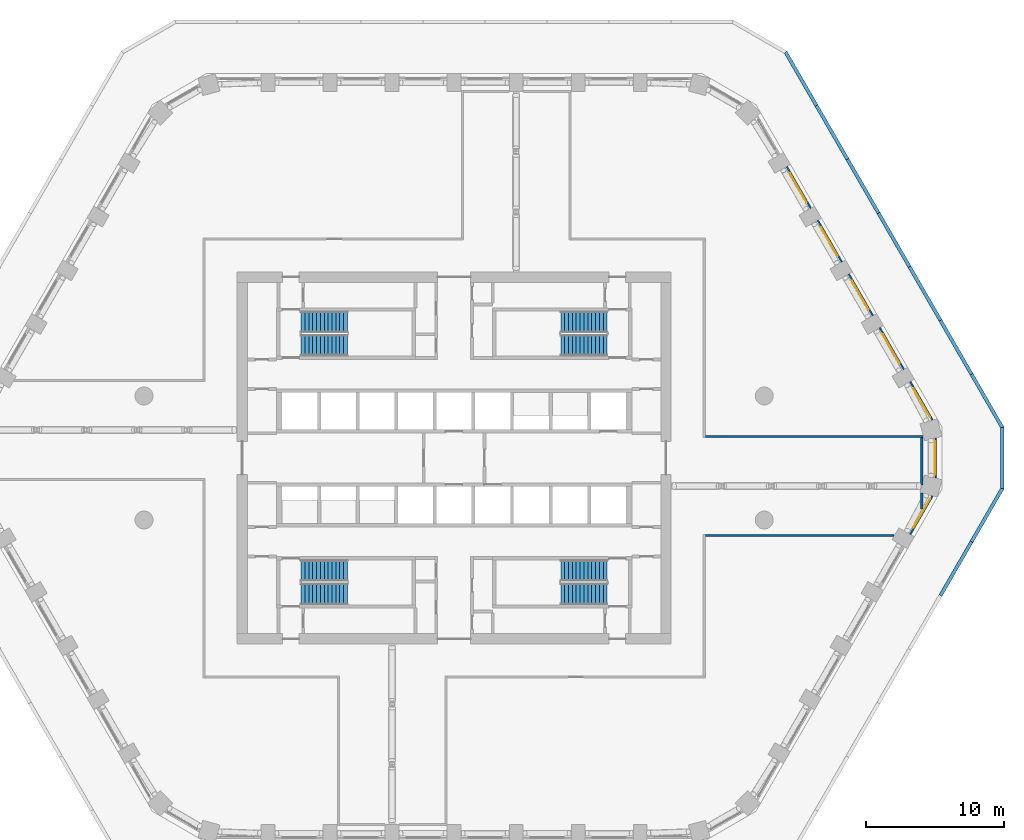
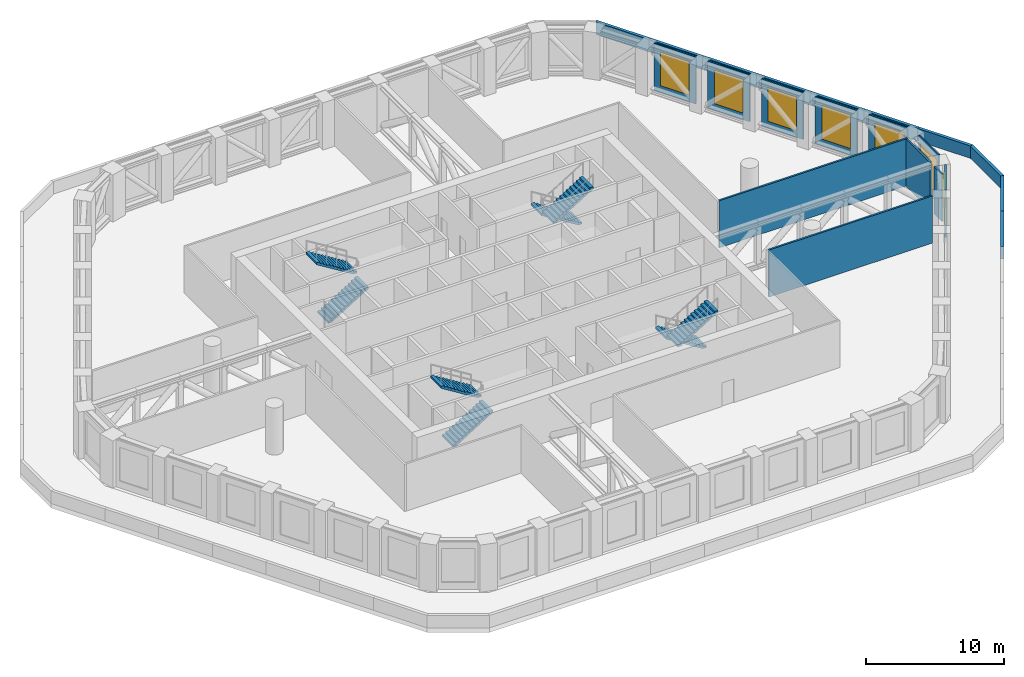
# One storey, part 11 of 18: 21 walls, 8 stair flights, 7 windows, 7 openings, 4 elements without a shape of their own.
"""IFC4 building model written with IfcOpenShell, lengths in metres."""

from ifc_helpers import new_model, si_unit, direction, frame, frame_2d, origin, place, context, subcontext, project, spatial, polyline, rectangle, outline, extrude, material, layer, layer_set, type_object, element, fill, aggregate, save


model = new_model("IFC4")

# Units and contexts
model_context = context("Model", 3, precision=1e-05, world=origin(), true_north=direction((0.0, 1.0)))
body_context = subcontext(model_context, "Body", "Model", "MODEL_VIEW")
ifc_project = project(units=[si_unit("LENGTHUNIT", "METRE"), si_unit("AREAUNIT", "SQUARE_METRE"), si_unit("VOLUMEUNIT", "CUBIC_METRE"), si_unit("PLANEANGLEUNIT", "RADIAN"), si_unit("MASSUNIT", "GRAM", prefix="KILO")], contexts=[model_context])

# Site, building, storey
site_placement = place(None, origin())
site = spatial("IfcSite", under=ifc_project, at=site_placement, CompositionType="ELEMENT")
building_placement = place(site_placement, origin())
building = spatial("IfcBuilding", under=site, at=building_placement, Name="Dhurran Vertical Campus", CompositionType="ELEMENT")
storey_placement = place(building_placement, frame((0.0, 0.0, 128.10009765625)))
storey = spatial("IfcBuildingStorey", under=building, at=storey_placement, Name="L31 Plant", CompositionType="ELEMENT", Elevation=128.10009765625)

# Wall, opening, window
ifc_material_1 = material(Name="Precast concrete C50/60", Category="concrete")
ifc_layer_1 = layer(ifc_material_1, 0.1201171875)
ifc_layer_set_1 = layer_set([ifc_layer_1], Name="Precast concrete C50/60")
wall_type_1 = type_object("IfcWallType", Name="Precast louvre-bay panel 120", PredefinedType="SOLIDWALL", material=ifc_layer_set_1)
wall_1_placement = place(storey_placement, frame((33.099609375, -5.541748046875, 0.0), z_axis=(0.0, 0.0, 1.0), x_axis=(0.499974205047, 0.866040295995, 0.0)))
wall_1 = element("IfcWall", 1, at=wall_1_placement, inside=storey, type_object=wall_type_1, Name="EW4 L31.14", PredefinedType="SOLIDWALL", context=body_context, shape_type="SweptSolid", body=[
    extrude(rectangle(XDim=3.218017578125, YDim=0.1201171875, at=frame_2d((1.60888671875, 0.0))), origin(), (0.0, 0.0, 1.0), 4.1748046875),
])
opening_1_placement = place(wall_1_placement, frame((0.549560546875, 0.0, 0.60009765625)))
opening_1 = element("IfcOpeningElement", 2, at=opening_1_placement, cuts=wall_1, Name="Opening WT4", PredefinedType="OPENING", context=body_context, shape_type="SweptSolid", body=[
    extrude(rectangle(XDim=2.39990234375, YDim=3.0, at=frame_2d((1.199951171875, 1.5))), frame((0.0, 0.070068359375, 0.0), z_axis=(0.0, -1.0, 0.0), x_axis=(1.0, 0.0, 0.0)), (0.0, 0.0, 1.0), 0.14013671875),
])
ifc_material_2 = material(Name="Aluminium louvre", Category="aluminium")
window_type = type_object("IfcWindowType", Name="Louvred plant vent 2400 x 3000", PartitioningType="SINGLE_PANEL", PredefinedType="WINDOW", material=ifc_material_2)
window_1_placement = place(opening_1_placement, origin())
window_1 = element("IfcWindow", 3, at=window_1_placement, inside=storey, type_object=window_type, Name="WT4 L31.14", OverallHeight=3.0, OverallWidth=2.39990234375, PartitioningType="SINGLE_PANEL", PredefinedType="WINDOW", context=body_context, shape_type="SweptSolid", body=[
    extrude(rectangle(XDim=2.39990234375, YDim=3.0, at=frame_2d((1.199951171875, 1.5))), frame((0.0, 0.06005859375, 0.0), z_axis=(0.0, -1.0, 0.0), x_axis=(1.0, 0.0, 0.0)), (0.0, 0.0, 1.0), 0.02001953125),
])
fill(opening_1, window_1)

wall_2_placement = place(storey_placement, frame((34.9462890625, -1.43994140625, 0.0), z_axis=(0.0, 0.0, 1.0), x_axis=(0.0, 1.0, 0.0)))
wall_2 = element("IfcWall", 4, at=wall_2_placement, inside=storey, type_object=wall_type_1, Name="EW4 L31.15", PredefinedType="SOLIDWALL", context=body_context, shape_type="SweptSolid", body=[
    extrude(rectangle(XDim=2.8798828125, YDim=0.1201171875, at=frame_2d((1.43994140625, 0.0))), origin(), (0.0, 0.0, 1.0), 4.1748046875),
])
opening_2_placement = place(wall_2_placement, frame((0.239990234375, 0.0, 0.60009765625)))
opening_2 = element("IfcOpeningElement", 5, at=opening_2_placement, cuts=wall_2, Name="Opening WT4", PredefinedType="OPENING", context=body_context, shape_type="SweptSolid", body=[
    extrude(rectangle(XDim=2.39990234375, YDim=3.0, at=frame_2d((1.199951171875, 1.5))), frame((0.0, 0.070068359375, 0.0), z_axis=(0.0, -1.0, 0.0), x_axis=(1.0, 0.0, 0.0)), (0.0, 0.0, 1.0), 0.14013671875),
])
window_2_placement = place(opening_2_placement, origin())
window_2 = element("IfcWindow", 6, at=window_2_placement, inside=storey, type_object=window_type, Name="WT4 L31.15", OverallHeight=3.0, OverallWidth=2.39990234375, PartitioningType="SINGLE_PANEL", PredefinedType="WINDOW", context=body_context, shape_type="SweptSolid", body=[
    extrude(rectangle(XDim=2.39990234375, YDim=3.0, at=frame_2d((1.199951171875, 1.5))), frame((0.0, 0.06005859375, 0.0), z_axis=(0.0, -1.0, 0.0), x_axis=(1.0, 0.0, 0.0)), (0.0, 0.0, 1.0), 0.02001953125),
])
fill(opening_2, window_2)

wall_3_placement = place(storey_placement, frame((34.70849609375, 2.7548828125, 0.0), z_axis=(0.0, 0.0, 1.0), x_axis=(-0.499974205047, 0.866040295995, 0.0)))
wall_3 = element("IfcWall", 7, at=wall_3_placement, inside=storey, type_object=wall_type_1, Name="EW4 L31.16", PredefinedType="SOLIDWALL", context=body_context, shape_type="SweptSolid", body=[
    extrude(rectangle(XDim=3.218017578125, YDim=0.1201171875, at=frame_2d((1.60888671875, 0.0))), origin(), (0.0, 0.0, 1.0), 4.1748046875),
])
opening_3_placement = place(wall_3_placement, frame((0.2685546875, 0.0, 0.60009765625)))
opening_3 = element("IfcOpeningElement", 8, at=opening_3_placement, cuts=wall_3, Name="Opening WT4", PredefinedType="OPENING", context=body_context, shape_type="SweptSolid", body=[
    extrude(rectangle(XDim=2.39990234375, YDim=3.0, at=frame_2d((1.199951171875, 1.5))), frame((0.0, 0.070068359375, 0.0), z_axis=(0.0, -1.0, 0.0), x_axis=(1.0, 0.0, 0.0)), (0.0, 0.0, 1.0), 0.14013671875),
])
window_3_placement = place(opening_3_placement, origin())
window_3 = element("IfcWindow", 9, at=window_3_placement, inside=storey, type_object=window_type, Name="WT4 L31.16", OverallHeight=3.0, OverallWidth=2.39990234375, PartitioningType="SINGLE_PANEL", PredefinedType="WINDOW", context=body_context, shape_type="SweptSolid", body=[
    extrude(rectangle(XDim=2.39990234375, YDim=3.0, at=frame_2d((1.199951171875, 1.5))), frame((0.0, 0.06005859375, 0.0), z_axis=(0.0, -1.0, 0.0), x_axis=(1.0, 0.0, 0.0)), (0.0, 0.0, 1.0), 0.02001953125),
])
fill(opening_3, window_3)

wall_4_placement = place(storey_placement, frame((32.6328125, 6.42822265625, 0.0), z_axis=(0.0, 0.0, 1.0), x_axis=(-0.499996256241, 0.866027565234, 0.0)))
wall_4 = element("IfcWall", 10, at=wall_4_placement, inside=storey, type_object=wall_type_1, Name="EW4 L31.17", PredefinedType="SOLIDWALL", context=body_context, shape_type="SweptSolid", body=[
    extrude(rectangle(XDim=3.4990234375, YDim=0.1201171875, at=frame_2d((1.74951171875, 0.0))), origin(), (0.0, 0.0, 1.0), 4.1748046875),
])
opening_4_placement = place(wall_4_placement, frame((0.549560546875, 0.0, 0.60009765625)))
opening_4 = element("IfcOpeningElement", 11, at=opening_4_placement, cuts=wall_4, Name="Opening WT4", PredefinedType="OPENING", context=body_context, shape_type="SweptSolid", body=[
    extrude(rectangle(XDim=2.39990234375, YDim=3.0, at=frame_2d((1.199951171875, 1.5))), frame((0.0, 0.070068359375, 0.0), z_axis=(0.0, -1.0, 0.0), x_axis=(1.0, 0.0, 0.0)), (0.0, 0.0, 1.0), 0.14013671875),
])
window_4_placement = place(opening_4_placement, origin())
window_4 = element("IfcWindow", 12, at=window_4_placement, inside=storey, type_object=window_type, Name="WT4 L31.17", OverallHeight=3.0, OverallWidth=2.39990234375, PartitioningType="SINGLE_PANEL", PredefinedType="WINDOW", context=body_context, shape_type="SweptSolid", body=[
    extrude(rectangle(XDim=2.39990234375, YDim=3.0, at=frame_2d((1.199951171875, 1.5))), frame((0.0, 0.06005859375, 0.0), z_axis=(0.0, -1.0, 0.0), x_axis=(1.0, 0.0, 0.0)), (0.0, 0.0, 1.0), 0.02001953125),
])
fill(opening_4, window_4)

wall_5_placement = place(storey_placement, frame((30.3828125, 10.3251953125, 0.0), z_axis=(0.0, 0.0, 1.0), x_axis=(-0.499996256241, 0.866027565234, 0.0)))
wall_5 = element("IfcWall", 13, at=wall_5_placement, inside=storey, type_object=wall_type_1, Name="EW4 L31.18", PredefinedType="SOLIDWALL", context=body_context, shape_type="SweptSolid", body=[
    extrude(rectangle(XDim=3.4990234375, YDim=0.1201171875, at=frame_2d((1.74951171875, 0.0))), origin(), (0.0, 0.0, 1.0), 4.1748046875),
])
opening_5_placement = place(wall_5_placement, frame((0.549560546875, 0.0, 0.60009765625)))
opening_5 = element("IfcOpeningElement", 14, at=opening_5_placement, cuts=wall_5, Name="Opening WT4", PredefinedType="OPENING", context=body_context, shape_type="SweptSolid", body=[
    extrude(rectangle(XDim=2.39990234375, YDim=3.0, at=frame_2d((1.199951171875, 1.5))), frame((0.0, 0.070068359375, 0.0), z_axis=(0.0, -1.0, 0.0), x_axis=(1.0, 0.0, 0.0)), (0.0, 0.0, 1.0), 0.14013671875),
])
window_5_placement = place(opening_5_placement, origin())
window_5 = element("IfcWindow", 15, at=window_5_placement, inside=storey, type_object=window_type, Name="WT4 L31.18", OverallHeight=3.0, OverallWidth=2.39990234375, PartitioningType="SINGLE_PANEL", PredefinedType="WINDOW", context=body_context, shape_type="SweptSolid", body=[
    extrude(rectangle(XDim=2.39990234375, YDim=3.0, at=frame_2d((1.199951171875, 1.5))), frame((0.0, 0.06005859375, 0.0), z_axis=(0.0, -1.0, 0.0), x_axis=(1.0, 0.0, 0.0)), (0.0, 0.0, 1.0), 0.02001953125),
])
fill(opening_5, window_5)

wall_6_placement = place(storey_placement, frame((28.1328125, 14.222412109375, 0.0), z_axis=(0.0, 0.0, 1.0), x_axis=(-0.499996256241, 0.866027565234, 0.0)))
wall_6 = element("IfcWall", 16, at=wall_6_placement, inside=storey, type_object=wall_type_1, Name="EW4 L31.19", PredefinedType="SOLIDWALL", context=body_context, shape_type="SweptSolid", body=[
    extrude(rectangle(XDim=3.4990234375, YDim=0.1201171875, at=frame_2d((1.74951171875, 0.0))), origin(), (0.0, 0.0, 1.0), 4.1748046875),
])
opening_6_placement = place(wall_6_placement, frame((0.549560546875, 0.0, 0.60009765625)))
opening_6 = element("IfcOpeningElement", 17, at=opening_6_placement, cuts=wall_6, Name="Opening WT4", PredefinedType="OPENING", context=body_context, shape_type="SweptSolid", body=[
    extrude(rectangle(XDim=2.39990234375, YDim=3.0, at=frame_2d((1.199951171875, 1.5))), frame((0.0, 0.070068359375, 0.0), z_axis=(0.0, -1.0, 0.0), x_axis=(1.0, 0.0, 0.0)), (0.0, 0.0, 1.0), 0.14013671875),
])
window_6_placement = place(opening_6_placement, origin())
window_6 = element("IfcWindow", 18, at=window_6_placement, inside=storey, type_object=window_type, Name="WT4 L31.19", OverallHeight=3.0, OverallWidth=2.39990234375, PartitioningType="SINGLE_PANEL", PredefinedType="WINDOW", context=body_context, shape_type="SweptSolid", body=[
    extrude(rectangle(XDim=2.39990234375, YDim=3.0, at=frame_2d((1.199951171875, 1.5))), frame((0.0, 0.06005859375, 0.0), z_axis=(0.0, -1.0, 0.0), x_axis=(1.0, 0.0, 0.0)), (0.0, 0.0, 1.0), 0.02001953125),
])
fill(opening_6, window_6)

wall_7_placement = place(storey_placement, frame((25.8828125, 18.119384765625, 0.0), z_axis=(0.0, 0.0, 1.0), x_axis=(-0.499996256241, 0.866027565234, 0.0)))
wall_7 = element("IfcWall", 19, at=wall_7_placement, inside=storey, type_object=wall_type_1, Name="EW4 L31.20", PredefinedType="SOLIDWALL", context=body_context, shape_type="SweptSolid", body=[
    extrude(rectangle(XDim=3.4990234375, YDim=0.1201171875, at=frame_2d((1.74951171875, 0.0))), origin(), (0.0, 0.0, 1.0), 4.1748046875),
])
opening_7_placement = place(wall_7_placement, frame((0.549560546875, 0.0, 0.60009765625)))
opening_7 = element("IfcOpeningElement", 20, at=opening_7_placement, cuts=wall_7, Name="Opening WT4", PredefinedType="OPENING", context=body_context, shape_type="SweptSolid", body=[
    extrude(rectangle(XDim=2.39990234375, YDim=3.0, at=frame_2d((1.199951171875, 1.5))), frame((0.0, 0.070068359375, 0.0), z_axis=(0.0, -1.0, 0.0), x_axis=(1.0, 0.0, 0.0)), (0.0, 0.0, 1.0), 0.14013671875),
])
window_7_placement = place(opening_7_placement, origin())
window_7 = element("IfcWindow", 21, at=window_7_placement, inside=storey, type_object=window_type, Name="WT4 L31.20", OverallHeight=3.0, OverallWidth=2.39990234375, PartitioningType="SINGLE_PANEL", PredefinedType="WINDOW", context=body_context, shape_type="SweptSolid", body=[
    extrude(rectangle(XDim=2.39990234375, YDim=3.0, at=frame_2d((1.199951171875, 1.5))), frame((0.0, 0.06005859375, 0.0), z_axis=(0.0, -1.0, 0.0), x_axis=(1.0, 0.0, 0.0)), (0.0, 0.0, 1.0), 0.02001953125),
])
fill(opening_7, window_7)

# Walls
ifc_material_3 = material(Name="Precast concrete C50/60", Category="concrete")
ifc_layer_2 = layer(ifc_material_3, 0.25)
ifc_layer_set_2 = layer_set([ifc_layer_2], Name="Precast concrete C50/60")
wall_type_2 = type_object("IfcWallType", Name="Precast parapet 250", PredefinedType="PARAPET", material=ifc_layer_set_2)
wall_8_placement = place(storey_placement, origin())
element("IfcWall", 22, at=wall_8_placement, inside=storey, type_object=wall_type_2, Name="PW1 L31.15", PredefinedType="PARAPET", context=body_context, shape_type="SweptSolid", body=[
    extrude(outline(polyline([(35.397216796875, -10.044189453125), (37.647216796875, -6.147216796875), (37.4306640625, -6.022216796875), (35.1806640625, -9.919189453125), (35.397216796875, -10.044189453125)])), origin(), (0.0, 0.0, 1.0), 1.099853515625),
])
wall_9_placement = place(storey_placement, origin())
element("IfcWall", 23, at=wall_9_placement, inside=storey, type_object=wall_type_2, Name="PW1 L31.16", PredefinedType="PARAPET", context=body_context, shape_type="SweptSolid", body=[
    extrude(outline(polyline([(37.647216796875, -6.147216796875), (39.897216796875, -2.25), (39.647216796875, -2.18310546875), (37.4306640625, -6.022216796875), (37.647216796875, -6.147216796875)])), origin(), (0.0, 0.0, 1.0), 1.099853515625),
])
wall_10_placement = place(storey_placement, origin())
element("IfcWall", 24, at=wall_10_placement, inside=storey, type_object=wall_type_2, Name="PW1 L31.17", PredefinedType="PARAPET", context=body_context, shape_type="SweptSolid", body=[
    extrude(outline(polyline([(39.897216796875, -2.25), (39.897216796875, 2.25), (39.647216796875, 2.18310546875), (39.647216796875, -2.18310546875), (39.897216796875, -2.25)])), origin(), (0.0, 0.0, 1.0), 1.099853515625),
])
wall_11_placement = place(storey_placement, origin())
element("IfcWall", 25, at=wall_11_placement, inside=storey, type_object=wall_type_2, Name="PW1 L31.18", PredefinedType="PARAPET", context=body_context, shape_type="SweptSolid", body=[
    extrude(outline(polyline([(39.897216796875, 2.25), (37.647216796875, 6.147216796875), (37.4306640625, 6.022216796875), (39.647216796875, 2.18310546875), (39.897216796875, 2.25)])), origin(), (0.0, 0.0, 1.0), 1.099853515625),
])
wall_12_placement = place(storey_placement, origin())
element("IfcWall", 26, at=wall_12_placement, inside=storey, type_object=wall_type_2, Name="PW1 L31.19", PredefinedType="PARAPET", context=body_context, shape_type="SweptSolid", body=[
    extrude(outline(polyline([(37.647216796875, 6.147216796875), (35.397216796875, 10.044189453125), (35.1806640625, 9.919189453125), (37.4306640625, 6.022216796875), (37.647216796875, 6.147216796875)])), origin(), (0.0, 0.0, 1.0), 1.099853515625),
])
wall_13_placement = place(storey_placement, origin())
element("IfcWall", 27, at=wall_13_placement, inside=storey, type_object=wall_type_2, Name="PW1 L31.20", PredefinedType="PARAPET", context=body_context, shape_type="SweptSolid", body=[
    extrude(outline(polyline([(35.397216796875, 10.044189453125), (33.147216796875, 13.94140625), (32.9306640625, 13.81640625), (35.1806640625, 9.919189453125), (35.397216796875, 10.044189453125)])), origin(), (0.0, 0.0, 1.0), 1.099853515625),
])
wall_14_placement = place(storey_placement, origin())
element("IfcWall", 28, at=wall_14_placement, inside=storey, type_object=wall_type_2, Name="PW1 L31.21", PredefinedType="PARAPET", context=body_context, shape_type="SweptSolid", body=[
    extrude(outline(polyline([(33.147216796875, 13.94140625), (30.897216796875, 17.83837890625), (30.6806640625, 17.71337890625), (32.9306640625, 13.81640625), (33.147216796875, 13.94140625)])), origin(), (0.0, 0.0, 1.0), 1.099853515625),
])
wall_15_placement = place(storey_placement, origin())
element("IfcWall", 29, at=wall_15_placement, inside=storey, type_object=wall_type_2, Name="PW1 L31.22", PredefinedType="PARAPET", context=body_context, shape_type="SweptSolid", body=[
    extrude(outline(polyline([(30.897216796875, 17.83837890625), (28.647216796875, 21.735595703125), (28.4306640625, 21.610595703125), (30.6806640625, 17.71337890625), (30.897216796875, 17.83837890625)])), origin(), (0.0, 0.0, 1.0), 1.099853515625),
])
wall_16_placement = place(storey_placement, origin())
element("IfcWall", 30, at=wall_16_placement, inside=storey, type_object=wall_type_2, Name="PW1 L31.23", PredefinedType="PARAPET", context=body_context, shape_type="SweptSolid", body=[
    extrude(outline(polyline([(28.647216796875, 21.735595703125), (26.397216796875, 25.6328125), (26.1806640625, 25.5078125), (28.4306640625, 21.610595703125), (28.647216796875, 21.735595703125)])), origin(), (0.0, 0.0, 1.0), 1.099853515625),
])
wall_17_placement = place(storey_placement, origin())
element("IfcWall", 31, at=wall_17_placement, inside=storey, type_object=wall_type_2, Name="PW1 L31.24", PredefinedType="PARAPET", context=body_context, shape_type="SweptSolid", body=[
    extrude(outline(polyline([(26.397216796875, 25.6328125), (24.147216796875, 29.52978515625), (23.964111328125, 29.3466796875), (26.1806640625, 25.5078125), (26.397216796875, 25.6328125)])), origin(), (0.0, 0.0, 1.0), 1.099853515625),
])
ifc_material_4 = material(Name="Gypsum board corridor wall on steel studs", Category="steel")
ifc_layer_3 = layer(ifc_material_4, 0.14990234375)
ifc_layer_set_3 = layer_set([ifc_layer_3], Name="Gypsum board corridor wall on steel studs")
wall_type_3 = type_object("IfcWallType", Name="fl-CW-150 corridor wall", PredefinedType="PARTITIONING", material=ifc_layer_set_3)
wall_18_placement = place(storey_placement, frame((31.91748046875, -5.636962890625, 0.0), z_axis=(0.0, 0.0, 1.0), x_axis=(-1.0, 0.0, 0.0)))
element("IfcWall", 32, at=wall_18_placement, inside=storey, type_object=wall_type_3, Name="Partition 31-20", PredefinedType="PARTITIONING", context=body_context, shape_type="SweptSolid", body=[
    extrude(rectangle(XDim=13.6923828125, YDim=0.14990234375, at=frame_2d((6.84619140625, 0.0))), origin(), (0.0, 0.0, 1.0), 4.1748046875),
])
wall_19_placement = place(storey_placement, frame((18.22509765625, 1.56298828125, 0.0), z_axis=(0.0, 0.0, 1.0), x_axis=(1.0, 0.0, 0.0)))
element("IfcWall", 33, at=wall_19_placement, inside=storey, type_object=wall_type_3, Name="Partition 31-22", PredefinedType="PARTITIONING", context=body_context, shape_type="SweptSolid", body=[
    extrude(rectangle(XDim=15.77783203125, YDim=0.14990234375, at=frame_2d((7.888916015625, 0.0))), origin(), (0.0, 0.0, 1.0), 4.1748046875),
])
wall_20_placement = place(storey_placement, frame((33.927978515625, 1.488037109375, 0.0), z_axis=(0.0, 0.0, 1.0), x_axis=(0.0, -1.0, 0.0)))
element("IfcWall", 34, at=wall_20_placement, inside=storey, type_object=wall_type_3, Name="Partition 31-23", PredefinedType="PARTITIONING", context=body_context, shape_type="SweptSolid", body=[
    extrude(rectangle(XDim=3.44775390625, YDim=0.14990234375, at=frame_2d((1.723876953125, 0.0))), origin(), (0.0, 0.0, 1.0), 4.1748046875),
])
wall_21_placement = place(storey_placement, frame((33.927978515625, -2.550048828125, 0.0), z_axis=(0.0, 0.0, 1.0), x_axis=(0.0, -1.0, 0.0)))
element("IfcWall", 35, at=wall_21_placement, inside=storey, type_object=wall_type_3, Name="Partition 31-24", PredefinedType="PARTITIONING", context=body_context, shape_type="SweptSolid", body=[
    extrude(rectangle(XDim=1.14501953125, YDim=0.14990234375, at=frame_2d((0.572509765625, 0.0))), origin(), (0.0, 0.0, 1.0), 4.1748046875),
])

# Stair, stair flights
ifc_material_5 = material(Name="Concrete C40/50", Category="concrete")
stair_type = type_object("IfcStairType", Name="co-ST-CORE", PredefinedType="HALF_TURN_STAIR", material=ifc_material_5)
stair_1_placement = place(storey_placement, origin())
stair_1 = element("IfcStair", 36, at=stair_1_placement, inside=storey, type_object=stair_type, Name="L31 Plant Protected exit stair ST1", PredefinedType="HALF_TURN_STAIR")
ifc_material_6 = material(Name="Concrete C40/50", Category="concrete")
stair_flight_type = type_object("IfcStairFlightType", Name="co-SFL-RC", PredefinedType="STRAIGHT", material=ifc_material_6)
stair_flight_1_placement = place(storey_placement, frame((-11.10009765625, 8.175048828125, 0.0), z_axis=(0.0, 0.0, 1.0), x_axis=(1.0, 0.0, 0.0)))
stair_flight_1 = element("IfcStairFlight", 37, at=stair_flight_1_placement, type_object=stair_flight_type, Name="ST1 flight 1", NumberOfRisers=13, NumberOfTreads=12, PredefinedType="STRAIGHT", RiserHeight=0.173076923, TreadLength=0.28, context=body_context, shape_type="SweptSolid", body=[
    extrude(outline(polyline([(0.0, 0.0), (0.0, 0.173095703125), (0.280029296875, 0.173095703125), (0.280029296875, 0.34619140625), (0.56005859375, 0.34619140625), (0.56005859375, 0.519287109375), (0.840087890625, 0.519287109375), (0.840087890625, 0.6923828125), (1.1201171875, 0.6923828125), (1.1201171875, 0.865478515625), (1.39990234375, 0.865478515625), (1.39990234375, 1.03857421875), (1.679931640625, 1.03857421875), (1.679931640625, 1.21142578125), (1.9599609375, 1.21142578125), (1.9599609375, 1.384521484375), (2.239990234375, 1.384521484375), (2.239990234375, 1.5576171875), (2.52001953125, 1.5576171875), (2.52001953125, 1.730712890625), (2.800048828125, 1.730712890625), (2.800048828125, 1.90380859375), (3.080078125, 1.90380859375), (3.080078125, 2.076904296875), (3.360107421875, 2.076904296875), (3.360107421875, 2.25), (3.360107421875, 1.900634765625), (0.28515625, 0.0), (0.0, 0.0)])), frame((0.0, 0.77490234375, 0.0), z_axis=(0.0, -1.0, 0.0), x_axis=(1.0, 0.0, 0.0)), (0.0, 0.0, 1.0), 1.550048828125),
])
stair_flight_2_placement = place(storey_placement, frame((-7.739990234375, 9.875, 2.25), z_axis=(0.0, 0.0, 1.0), x_axis=(-1.0, 0.0, 0.0)))
stair_flight_2 = element("IfcStairFlight", 38, at=stair_flight_2_placement, type_object=stair_flight_type, Name="ST1 flight 2", NumberOfRisers=13, NumberOfTreads=12, PredefinedType="STRAIGHT", RiserHeight=0.173076923, TreadLength=0.28, context=body_context, shape_type="SweptSolid", body=[
    extrude(outline(polyline([(0.0, 0.0), (0.0, 0.173095703125), (0.280029296875, 0.173095703125), (0.280029296875, 0.34619140625), (0.56005859375, 0.34619140625), (0.56005859375, 0.519287109375), (0.840087890625, 0.519287109375), (0.840087890625, 0.6923828125), (1.1201171875, 0.6923828125), (1.1201171875, 0.865478515625), (1.39990234375, 0.865478515625), (1.39990234375, 1.03857421875), (1.679931640625, 1.03857421875), (1.679931640625, 1.21142578125), (1.9599609375, 1.21142578125), (1.9599609375, 1.384521484375), (2.239990234375, 1.384521484375), (2.239990234375, 1.5576171875), (2.52001953125, 1.5576171875), (2.52001953125, 1.730712890625), (2.800048828125, 1.730712890625), (2.800048828125, 1.90380859375), (3.080078125, 1.90380859375), (3.080078125, 2.076904296875), (3.360107421875, 2.076904296875), (3.360107421875, 2.25), (3.360107421875, 1.900634765625), (0.28515625, 0.0), (0.0, 0.0)])), frame((0.0, 0.77490234375, 0.0), z_axis=(0.0, -1.0, 0.0), x_axis=(1.0, 0.0, 0.0)), (0.0, 0.0, 1.0), 1.550048828125),
])
aggregate(stair_1, [stair_flight_1, stair_flight_2])

stair_2_placement = place(storey_placement, origin())
stair_2 = element("IfcStair", 39, at=stair_2_placement, inside=storey, type_object=stair_type, Name="L31 Plant Protected exit stair ST2", PredefinedType="HALF_TURN_STAIR")
stair_flight_3_placement = place(storey_placement, frame((11.10009765625, 9.875, 0.0), z_axis=(0.0, 0.0, 1.0), x_axis=(-1.0, 0.0, 0.0)))
stair_flight_3 = element("IfcStairFlight", 40, at=stair_flight_3_placement, type_object=stair_flight_type, Name="ST2 flight 1", NumberOfRisers=13, NumberOfTreads=12, PredefinedType="STRAIGHT", RiserHeight=0.173076923, TreadLength=0.28, context=body_context, shape_type="SweptSolid", body=[
    extrude(outline(polyline([(0.0, 0.0), (0.0, 0.173095703125), (0.280029296875, 0.173095703125), (0.280029296875, 0.34619140625), (0.56005859375, 0.34619140625), (0.56005859375, 0.519287109375), (0.840087890625, 0.519287109375), (0.840087890625, 0.6923828125), (1.1201171875, 0.6923828125), (1.1201171875, 0.865478515625), (1.39990234375, 0.865478515625), (1.39990234375, 1.03857421875), (1.679931640625, 1.03857421875), (1.679931640625, 1.21142578125), (1.9599609375, 1.21142578125), (1.9599609375, 1.384521484375), (2.239990234375, 1.384521484375), (2.239990234375, 1.5576171875), (2.52001953125, 1.5576171875), (2.52001953125, 1.730712890625), (2.800048828125, 1.730712890625), (2.800048828125, 1.90380859375), (3.080078125, 1.90380859375), (3.080078125, 2.076904296875), (3.360107421875, 2.076904296875), (3.360107421875, 2.25), (3.360107421875, 1.900634765625), (0.28515625, 0.0), (0.0, 0.0)])), frame((0.0, 0.77490234375, 0.0), z_axis=(0.0, -1.0, 0.0), x_axis=(1.0, 0.0, 0.0)), (0.0, 0.0, 1.0), 1.550048828125),
])
stair_flight_4_placement = place(storey_placement, frame((7.739990234375, 8.175048828125, 2.25), z_axis=(0.0, 0.0, 1.0), x_axis=(1.0, 0.0, 0.0)))
stair_flight_4 = element("IfcStairFlight", 41, at=stair_flight_4_placement, type_object=stair_flight_type, Name="ST2 flight 2", NumberOfRisers=13, NumberOfTreads=12, PredefinedType="STRAIGHT", RiserHeight=0.173076923, TreadLength=0.28, context=body_context, shape_type="SweptSolid", body=[
    extrude(outline(polyline([(0.0, 0.0), (0.0, 0.173095703125), (0.280029296875, 0.173095703125), (0.280029296875, 0.34619140625), (0.56005859375, 0.34619140625), (0.56005859375, 0.519287109375), (0.840087890625, 0.519287109375), (0.840087890625, 0.6923828125), (1.1201171875, 0.6923828125), (1.1201171875, 0.865478515625), (1.39990234375, 0.865478515625), (1.39990234375, 1.03857421875), (1.679931640625, 1.03857421875), (1.679931640625, 1.21142578125), (1.9599609375, 1.21142578125), (1.9599609375, 1.384521484375), (2.239990234375, 1.384521484375), (2.239990234375, 1.5576171875), (2.52001953125, 1.5576171875), (2.52001953125, 1.730712890625), (2.800048828125, 1.730712890625), (2.800048828125, 1.90380859375), (3.080078125, 1.90380859375), (3.080078125, 2.076904296875), (3.360107421875, 2.076904296875), (3.360107421875, 2.25), (3.360107421875, 1.900634765625), (0.28515625, 0.0), (0.0, 0.0)])), frame((0.0, 0.77490234375, 0.0), z_axis=(0.0, -1.0, 0.0), x_axis=(1.0, 0.0, 0.0)), (0.0, 0.0, 1.0), 1.550048828125),
])
aggregate(stair_2, [stair_flight_3, stair_flight_4])

stair_3_placement = place(storey_placement, origin())
stair_3 = element("IfcStair", 42, at=stair_3_placement, inside=storey, type_object=stair_type, Name="L31 Plant Protected exit stair ST3", PredefinedType="HALF_TURN_STAIR")
stair_flight_5_placement = place(storey_placement, frame((-11.10009765625, -9.875, 0.0), z_axis=(0.0, 0.0, 1.0), x_axis=(1.0, 0.0, 0.0)))
stair_flight_5 = element("IfcStairFlight", 43, at=stair_flight_5_placement, type_object=stair_flight_type, Name="ST3 flight 1", NumberOfRisers=13, NumberOfTreads=12, PredefinedType="STRAIGHT", RiserHeight=0.173076923, TreadLength=0.28, context=body_context, shape_type="SweptSolid", body=[
    extrude(outline(polyline([(0.0, 0.0), (0.0, 0.173095703125), (0.280029296875, 0.173095703125), (0.280029296875, 0.34619140625), (0.56005859375, 0.34619140625), (0.56005859375, 0.519287109375), (0.840087890625, 0.519287109375), (0.840087890625, 0.6923828125), (1.1201171875, 0.6923828125), (1.1201171875, 0.865478515625), (1.39990234375, 0.865478515625), (1.39990234375, 1.03857421875), (1.679931640625, 1.03857421875), (1.679931640625, 1.21142578125), (1.9599609375, 1.21142578125), (1.9599609375, 1.384521484375), (2.239990234375, 1.384521484375), (2.239990234375, 1.5576171875), (2.52001953125, 1.5576171875), (2.52001953125, 1.730712890625), (2.800048828125, 1.730712890625), (2.800048828125, 1.90380859375), (3.080078125, 1.90380859375), (3.080078125, 2.076904296875), (3.360107421875, 2.076904296875), (3.360107421875, 2.25), (3.360107421875, 1.900634765625), (0.28515625, 0.0), (0.0, 0.0)])), frame((0.0, 0.77490234375, 0.0), z_axis=(0.0, -1.0, 0.0), x_axis=(1.0, 0.0, 0.0)), (0.0, 0.0, 1.0), 1.550048828125),
])
stair_flight_6_placement = place(storey_placement, frame((-7.739990234375, -8.175048828125, 2.25), z_axis=(0.0, 0.0, 1.0), x_axis=(-1.0, 0.0, 0.0)))
stair_flight_6 = element("IfcStairFlight", 44, at=stair_flight_6_placement, type_object=stair_flight_type, Name="ST3 flight 2", NumberOfRisers=13, NumberOfTreads=12, PredefinedType="STRAIGHT", RiserHeight=0.173076923, TreadLength=0.28, context=body_context, shape_type="SweptSolid", body=[
    extrude(outline(polyline([(0.0, 0.0), (0.0, 0.173095703125), (0.280029296875, 0.173095703125), (0.280029296875, 0.34619140625), (0.56005859375, 0.34619140625), (0.56005859375, 0.519287109375), (0.840087890625, 0.519287109375), (0.840087890625, 0.6923828125), (1.1201171875, 0.6923828125), (1.1201171875, 0.865478515625), (1.39990234375, 0.865478515625), (1.39990234375, 1.03857421875), (1.679931640625, 1.03857421875), (1.679931640625, 1.21142578125), (1.9599609375, 1.21142578125), (1.9599609375, 1.384521484375), (2.239990234375, 1.384521484375), (2.239990234375, 1.5576171875), (2.52001953125, 1.5576171875), (2.52001953125, 1.730712890625), (2.800048828125, 1.730712890625), (2.800048828125, 1.90380859375), (3.080078125, 1.90380859375), (3.080078125, 2.076904296875), (3.360107421875, 2.076904296875), (3.360107421875, 2.25), (3.360107421875, 1.900634765625), (0.28515625, 0.0), (0.0, 0.0)])), frame((0.0, 0.77490234375, 0.0), z_axis=(0.0, -1.0, 0.0), x_axis=(1.0, 0.0, 0.0)), (0.0, 0.0, 1.0), 1.550048828125),
])
aggregate(stair_3, [stair_flight_5, stair_flight_6])

stair_4_placement = place(storey_placement, origin())
stair_4 = element("IfcStair", 45, at=stair_4_placement, inside=storey, type_object=stair_type, Name="L31 Plant Protected exit stair ST4", PredefinedType="HALF_TURN_STAIR")
stair_flight_7_placement = place(storey_placement, frame((11.10009765625, -8.175048828125, 0.0), z_axis=(0.0, 0.0, 1.0), x_axis=(-1.0, 0.0, 0.0)))
stair_flight_7 = element("IfcStairFlight", 46, at=stair_flight_7_placement, type_object=stair_flight_type, Name="ST4 flight 1", NumberOfRisers=13, NumberOfTreads=12, PredefinedType="STRAIGHT", RiserHeight=0.173076923, TreadLength=0.28, context=body_context, shape_type="SweptSolid", body=[
    extrude(outline(polyline([(0.0, 0.0), (0.0, 0.173095703125), (0.280029296875, 0.173095703125), (0.280029296875, 0.34619140625), (0.56005859375, 0.34619140625), (0.56005859375, 0.519287109375), (0.840087890625, 0.519287109375), (0.840087890625, 0.6923828125), (1.1201171875, 0.6923828125), (1.1201171875, 0.865478515625), (1.39990234375, 0.865478515625), (1.39990234375, 1.03857421875), (1.679931640625, 1.03857421875), (1.679931640625, 1.21142578125), (1.9599609375, 1.21142578125), (1.9599609375, 1.384521484375), (2.239990234375, 1.384521484375), (2.239990234375, 1.5576171875), (2.52001953125, 1.5576171875), (2.52001953125, 1.730712890625), (2.800048828125, 1.730712890625), (2.800048828125, 1.90380859375), (3.080078125, 1.90380859375), (3.080078125, 2.076904296875), (3.360107421875, 2.076904296875), (3.360107421875, 2.25), (3.360107421875, 1.900634765625), (0.28515625, 0.0), (0.0, 0.0)])), frame((0.0, 0.77490234375, 0.0), z_axis=(0.0, -1.0, 0.0), x_axis=(1.0, 0.0, 0.0)), (0.0, 0.0, 1.0), 1.550048828125),
])
stair_flight_8_placement = place(storey_placement, frame((7.739990234375, -9.875, 2.25), z_axis=(0.0, 0.0, 1.0), x_axis=(1.0, 0.0, 0.0)))
stair_flight_8 = element("IfcStairFlight", 47, at=stair_flight_8_placement, type_object=stair_flight_type, Name="ST4 flight 2", NumberOfRisers=13, NumberOfTreads=12, PredefinedType="STRAIGHT", RiserHeight=0.173076923, TreadLength=0.28, context=body_context, shape_type="SweptSolid", body=[
    extrude(outline(polyline([(0.0, 0.0), (0.0, 0.173095703125), (0.280029296875, 0.173095703125), (0.280029296875, 0.34619140625), (0.56005859375, 0.34619140625), (0.56005859375, 0.519287109375), (0.840087890625, 0.519287109375), (0.840087890625, 0.6923828125), (1.1201171875, 0.6923828125), (1.1201171875, 0.865478515625), (1.39990234375, 0.865478515625), (1.39990234375, 1.03857421875), (1.679931640625, 1.03857421875), (1.679931640625, 1.21142578125), (1.9599609375, 1.21142578125), (1.9599609375, 1.384521484375), (2.239990234375, 1.384521484375), (2.239990234375, 1.5576171875), (2.52001953125, 1.5576171875), (2.52001953125, 1.730712890625), (2.800048828125, 1.730712890625), (2.800048828125, 1.90380859375), (3.080078125, 1.90380859375), (3.080078125, 2.076904296875), (3.360107421875, 2.076904296875), (3.360107421875, 2.25), (3.360107421875, 1.900634765625), (0.28515625, 0.0), (0.0, 0.0)])), frame((0.0, 0.77490234375, 0.0), z_axis=(0.0, -1.0, 0.0), x_axis=(1.0, 0.0, 0.0)), (0.0, 0.0, 1.0), 1.550048828125),
])
aggregate(stair_4, [stair_flight_7, stair_flight_8])

save(model, "model.ifc")
